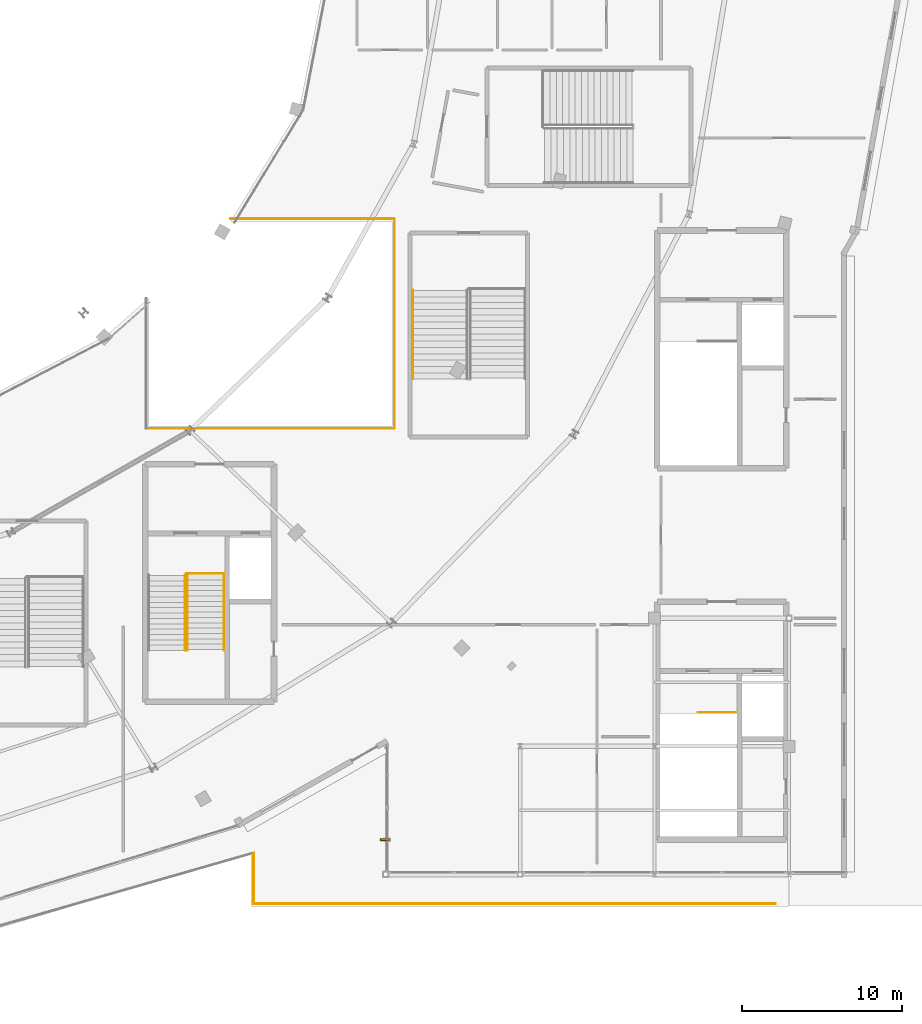
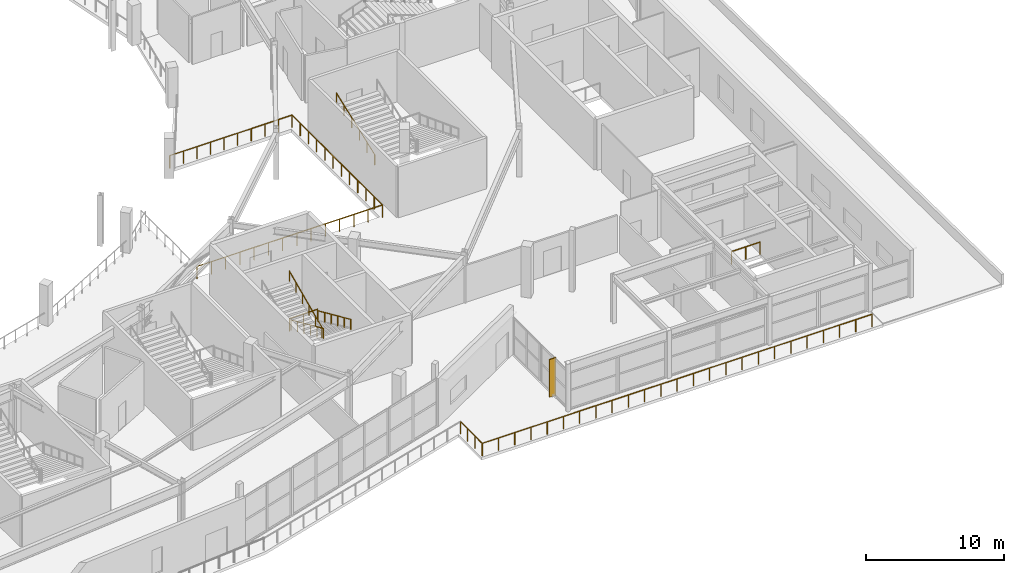
# One storey, part 119 of 123: 11 railings, 1 shading device.
"""IFC4 building model written with IfcOpenShell, lengths in metres."""

import ifcopenshell
import ifcopenshell.guid

model = None  # the IFC model being written
_history = None  # IfcOwnerHistory: only IFC2X3 demands one
_inside = {}  # id of a spatial element -> (the spatial element, [elements in it])
_under = {}  # id of a project, library or spatial element -> (it, [spatial elements below it])
_declared = {}  # id of a project -> (the project, [libraries it declares])
_typed = {}  # id of a type object -> (the type object, [elements of that type])
_made_of = {}  # id of a material, layer set ... -> (it, [elements and type objects made of it])


def new_model(schema):
    """Start an empty IFC model of exactly this schema.

    Asked for "IFC4X3", IfcOpenShell would pick the latest addendum, in which some entities
    have other attributes; the version numbers below select the first issue.
    IFC2X3 requires an IfcOwnerHistory on every rooted entity: one is made here for all.
    """
    global model, _history
    if schema == "IFC4X3":
        model = ifcopenshell.file(schema_version=(4, 3, 0, 0))
    else:
        model = ifcopenshell.file(schema=schema)
    _inside.clear()
    _under.clear()
    _declared.clear()
    _typed.clear()
    _made_of.clear()
    _history = None
    if model.schema == "IFC2X3":
        org = make("IfcOrganization", Name="unknown")
        user = make(
            "IfcPersonAndOrganization",
            ThePerson=make("IfcPerson", FamilyName="unknown"),
            TheOrganization=org,
        )
        app = make(
            "IfcApplication",
            ApplicationDeveloper=org,
            Version="unknown",
            ApplicationFullName="unknown",
            ApplicationIdentifier="unknown",
        )
        _history = make(
            "IfcOwnerHistory",
            OwningUser=user,
            OwningApplication=app,
            ChangeAction="ADDED",
            CreationDate=0,
        )
    return model


def make(cls, **values):
    """One entity of the class cls with the attributes given. An attribute that is None is left unset."""
    return model.create_entity(
        cls, **{name: value for name, value in values.items() if value is not None}
    )


def rooted(cls, **values):
    """An entity with a GlobalId (a new one), such as an element, a storey or a relation."""
    return make(cls, GlobalId=ifcopenshell.guid.new(), OwnerHistory=_history, **values)


def si_unit(unit_type, name, prefix=None):
    """IfcSIUnit, for example si_unit("LENGTHUNIT", "METRE", prefix="MILLI")."""
    return make("IfcSIUnit", UnitType=unit_type, Prefix=prefix, Name=name)


def assignment(units):
    """IfcUnitAssignment: the units of a project."""
    return None if units is None else make("IfcUnitAssignment", Units=units)


def point(xyz):
    """IfcCartesianPoint."""
    return None if xyz is None else make("IfcCartesianPoint", Coordinates=xyz)


def direction(xyz):
    """IfcDirection."""
    return None if xyz is None else make("IfcDirection", DirectionRatios=xyz)


def frame(location, z_axis=None, x_axis=None):
    """IfcAxis2Placement3D, a coordinate frame: its origin and axes. An axis left out is left unset."""
    return make(
        "IfcAxis2Placement3D",
        Location=point(location),
        Axis=direction(z_axis),
        RefDirection=direction(x_axis),
    )


def frame_2d(location, x_axis=None):
    """IfcAxis2Placement2D, a coordinate frame in the plane: its origin and x axis."""
    return make(
        "IfcAxis2Placement2D", Location=point(location), RefDirection=direction(x_axis)
    )


def origin():
    """The frame at (0, 0, 0) with its axes left unset."""
    return frame((0.0, 0.0, 0.0))


def origin_2d():
    """The frame at (0, 0) in the plane with its x axis left unset."""
    return frame_2d((0.0, 0.0))


def place(relative_to, where):
    """IfcLocalPlacement: puts the frame where relative to a parent placement (None: the world)."""
    return make(
        "IfcLocalPlacement", PlacementRelTo=relative_to, RelativePlacement=where
    )


def context(
    kind, dimensions, precision=None, world=None, true_north=None, identifier=None
):
    """IfcGeometricRepresentationContext, for example the 3D "Model" context."""
    return make(
        "IfcGeometricRepresentationContext",
        ContextIdentifier=identifier,
        ContextType=kind,
        CoordinateSpaceDimension=dimensions,
        Precision=precision,
        WorldCoordinateSystem=world,
        TrueNorth=true_north,
    )


def subcontext(parent, identifier, kind, view, scale=None):
    """IfcGeometricRepresentationSubContext, for example "Body" below "Model"."""
    return make(
        "IfcGeometricRepresentationSubContext",
        ContextIdentifier=identifier,
        ContextType=kind,
        ParentContext=parent,
        TargetScale=scale,
        TargetView=view,
    )


def project(units=None, contexts=None):
    """IfcProject with its units and contexts."""
    return rooted(
        "IfcProject",
        Name="project",
        RepresentationContexts=contexts,
        UnitsInContext=assignment(units),
    )


def spatial(cls, under=None, at=None, **own):
    """A site, building, storey or space (cls), placed at a placement, below another one or the project."""
    s = rooted(cls, ObjectPlacement=at, **own)
    if under is not None:
        _under.setdefault(under.id(), (under, []))[1].append(s)
    return s


def profile(cls, at=None, kind="AREA", **sizes):
    """A parametric profile (cls). Its sizes go by their IFC names, for example OverallWidth=200.0."""
    return make(cls, ProfileType=kind, Position=at, **sizes)


def rectangle(**sizes):
    """IfcRectangleProfileDef."""
    return profile("IfcRectangleProfileDef", **sizes)


def circle(**sizes):
    """IfcCircleProfileDef."""
    return profile("IfcCircleProfileDef", **sizes)


def extrude(swept, where, along, depth):
    """IfcExtrudedAreaSolid: the profile swept, set in the frame where, extruded along a direction by depth."""
    return make(
        "IfcExtrudedAreaSolid",
        SweptArea=swept,
        Position=where,
        ExtrudedDirection=direction(along),
        Depth=depth,
    )


def shape(context_of_items, identifier, shape_type, items):
    """IfcShapeRepresentation: the items that make up one representation, for example the "Body"."""
    return make(
        "IfcShapeRepresentation",
        ContextOfItems=context_of_items,
        RepresentationIdentifier=identifier,
        RepresentationType=shape_type,
        Items=items,
    )


def material(Name=None, Category=None):
    """IfcMaterial."""
    return make("IfcMaterial", Name=Name, Category=Category)


def layer(
    of_material, thickness, ventilated=None, Name=None, Category=None, Priority=None
):
    """IfcMaterialLayer: one layer of a wall or slab, of a material (None: an air gap)."""
    return make(
        "IfcMaterialLayer",
        Material=of_material,
        LayerThickness=thickness,
        IsVentilated=ventilated,
        Name=Name,
        Category=Category,
        Priority=Priority,
    )


def layer_set(layers, Name=None):
    """IfcMaterialLayerSet."""
    return make("IfcMaterialLayerSet", MaterialLayers=layers, LayerSetName=Name)


def made_of(thing, what):
    """Note that an element or type object is made of a material, layer set ...; save() writes the relation."""
    if what is not None:
        _made_of.setdefault(what.id(), (what, []))[1].append(thing)
    return thing


def type_object(cls, material=None, **own):
    """A type object (cls), such as IfcWallType, which elements share."""
    return made_of(rooted(cls, **own), material)


def element(
    cls,
    number,
    at=None,
    inside=None,
    cuts=None,
    type_object=None,
    material=None,
    context=None,
    identifier="Body",
    shape_type=None,
    held_by="IfcProductDefinitionShape",
    body=None,
    shapes=None,
    **own,
):
    """One element of the class cls, such as IfcWall. Its Tag is "e" and its number.

    at: its placement. inside: the storey or other place that contains it. cuts: it is an
    opening in that element (IfcRelVoidsElement). A single representation is given by context,
    identifier, shape_type and body (its items); several are given by shapes. held_by: the class
    of the entity that holds the representations. save() writes the other relations.
    """
    e = rooted(cls, Tag="e%d" % number, ObjectPlacement=at, **own)
    if body is not None:
        shapes = [shape(context, identifier, shape_type, body)]
    if shapes is not None:
        e.Representation = make(held_by, Representations=shapes)
    if inside is not None:
        _inside.setdefault(inside.id(), (inside, []))[1].append(e)
    if cuts is not None:
        rooted(
            "IfcRelVoidsElement", RelatingBuildingElement=cuts, RelatedOpeningElement=e
        )
    if type_object is not None:
        _typed.setdefault(type_object.id(), (type_object, []))[1].append(e)
    return made_of(e, material)


def aggregate(whole, parts):
    """IfcRelAggregates: a whole, such as a stair, and the parts it consists of."""
    return rooted("IfcRelAggregates", RelatingObject=whole, RelatedObjects=parts)


def save(model, path):
    """Write the relations noted so far, then the file.

    IfcRelAggregates (storeys below a building ...), IfcRelContainedInSpatialStructure (elements
    in a storey), IfcRelDefinesByType, IfcRelAssociatesMaterial and IfcRelDeclares: one each for
    every whole, place, type object, material and project.
    """
    for whole, parts in _under.values():
        aggregate(whole, parts)
    for where, things in _inside.values():
        rooted(
            "IfcRelContainedInSpatialStructure",
            RelatedElements=things,
            RelatingStructure=where,
        )
    for kind, things in _typed.values():
        rooted("IfcRelDefinesByType", RelatedObjects=things, RelatingType=kind)
    for what, things in _made_of.values():
        rooted("IfcRelAssociatesMaterial", RelatedObjects=things, RelatingMaterial=what)
    for by, libraries in _declared.values():
        rooted("IfcRelDeclares", RelatingContext=by, RelatedDefinitions=libraries)
    model.write(path)


model = new_model("IFC4")

# Units and contexts
model_context = context("Model", 3, precision=1e-05, world=origin(), true_north=direction((0.0, 1.0)))
body_context = subcontext(model_context, "Body", "Model", "MODEL_VIEW")
ifc_project = project(units=[si_unit("LENGTHUNIT", "METRE"), si_unit("AREAUNIT", "SQUARE_METRE"), si_unit("VOLUMEUNIT", "CUBIC_METRE"), si_unit("PLANEANGLEUNIT", "RADIAN"), si_unit("MASSUNIT", "GRAM", prefix="KILO")], contexts=[model_context])

# Site, building, storey
site_placement = place(None, origin())
site = spatial("IfcSite", under=ifc_project, at=site_placement, CompositionType="ELEMENT")
building_placement = place(site_placement, origin())
building = spatial("IfcBuilding", under=site, at=building_placement, Name="Kalgoora Escarpment Arena", CompositionType="ELEMENT")
storey_placement = place(building_placement, frame((0.0, 0.0, 9.89990234375)))
storey = spatial("IfcBuildingStorey", under=building, at=storey_placement, Name="L02", CompositionType="ELEMENT", Elevation=9.89990234375)

# Railings
ifc_material_1 = material(Name="Galvanised & powdercoated tubular steel", Category="steel")
railing_type_1 = type_object("IfcRailingType", Name="RAL-GUARD-1120", PredefinedType="GUARDRAIL", material=ifc_material_1)
railing_1_placement = place(storey_placement, frame((132.68994140625, 26.7900390625, 0.0)))
element("IfcRailing", 1, at=railing_1_placement, inside=storey, type_object=railing_type_1, Name="ST06 L02 floor landing well guard", PredefinedType="GUARDRAIL", context=body_context, shape_type="SweptSolid", body=[
    extrude(circle(Radius=0.02392578125, at=origin_2d()), frame((0.0, 0.0, 1.09619140625), z_axis=(-1.0, 0.0, 0.0), x_axis=(0.0, -1.0, 0.0)), (0.0, 0.0, 1.0), 2.33984375),
    extrude(circle(Radius=0.02099609375, at=origin_2d()), origin(), (0.0, 0.0, 1.0), 1.072021484375),
    extrude(circle(Radius=0.02099609375, at=origin_2d()), frame((-1.169921875, 0.0, 0.0)), (0.0, 0.0, 1.0), 1.072021484375),
    extrude(circle(Radius=0.02099609375, at=origin_2d()), frame((-2.33984375, 0.0, 0.0)), (0.0, 0.0, 1.0), 1.072021484375),
])
railing_2_placement = place(storey_placement, frame((164.68994140625, 18.110107421875, 0.0)))
element("IfcRailing", 2, at=railing_2_placement, inside=storey, type_object=railing_type_1, Name="ST08 top landing well guardrail", PredefinedType="GUARDRAIL", context=body_context, shape_type="SweptSolid", body=[
    extrude(circle(Radius=0.02392578125, at=origin_2d()), frame((0.0, 0.0, 1.09619140625), z_axis=(-1.0, 0.0, 0.0), x_axis=(0.0, -1.0, 0.0)), (0.0, 0.0, 1.0), 2.3798828125),
    extrude(circle(Radius=0.02099609375, at=origin_2d()), origin(), (0.0, 0.0, 1.0), 1.072021484375),
    extrude(circle(Radius=0.02099609375, at=origin_2d()), frame((-1.18994140625, 0.0, 0.0)), (0.0, 0.0, 1.0), 1.072021484375),
    extrude(circle(Radius=0.02099609375, at=origin_2d()), frame((-2.3798828125, 0.0, 0.0)), (0.0, 0.0, 1.0), 1.072021484375),
])
railing_3_placement = place(storey_placement, frame((127.85009765625, 35.85009765625, 0.0)))
element("IfcRailing", 3, at=railing_3_placement, inside=storey, type_object=railing_type_1, Name="L02 practice court void balustrade S", PredefinedType="GUARDRAIL", context=body_context, shape_type="SweptSolid", body=[
    extrude(circle(Radius=0.02392578125, at=origin_2d()), frame((0.0, 0.0, 1.09619140625), z_axis=(1.0, 0.0, 0.0), x_axis=(0.0, 1.0, 0.0)), (0.0, 0.0, 1.0), 15.5),
    extrude(circle(Radius=0.02099609375, at=origin_2d()), origin(), (0.0, 0.0, 1.0), 1.072021484375),
    extrude(circle(Radius=0.02099609375, at=origin_2d()), frame((1.1923828125, 0.0, 0.0)), (0.0, 0.0, 1.0), 1.072021484375),
    extrude(circle(Radius=0.02099609375, at=origin_2d()), frame((2.384521484375, 0.0, 0.0)), (0.0, 0.0, 1.0), 1.072021484375),
    extrude(circle(Radius=0.02099609375, at=origin_2d()), frame((3.576904296875, 0.0, 0.0)), (0.0, 0.0, 1.0), 1.072021484375),
    extrude(circle(Radius=0.02099609375, at=origin_2d()), frame((4.769287109375, 0.0, 0.0)), (0.0, 0.0, 1.0), 1.072021484375),
    extrude(circle(Radius=0.02099609375, at=origin_2d()), frame((5.96142578125, 0.0, 0.0)), (0.0, 0.0, 1.0), 1.072021484375),
    extrude(circle(Radius=0.02099609375, at=origin_2d()), frame((7.15380859375, 0.0, 0.0)), (0.0, 0.0, 1.0), 1.072021484375),
    extrude(circle(Radius=0.02099609375, at=origin_2d()), frame((8.34619140625, 0.0, 0.0)), (0.0, 0.0, 1.0), 1.072021484375),
    extrude(circle(Radius=0.02099609375, at=origin_2d()), frame((9.53857421875, 0.0, 0.0)), (0.0, 0.0, 1.0), 1.072021484375),
    extrude(circle(Radius=0.02099609375, at=origin_2d()), frame((10.730712890625, 0.0, 0.0)), (0.0, 0.0, 1.0), 1.072021484375),
    extrude(circle(Radius=0.02099609375, at=origin_2d()), frame((11.923095703125, 0.0, 0.0)), (0.0, 0.0, 1.0), 1.072021484375),
    extrude(circle(Radius=0.02099609375, at=origin_2d()), frame((13.115478515625, 0.0, 0.0)), (0.0, 0.0, 1.0), 1.072021484375),
    extrude(circle(Radius=0.02099609375, at=origin_2d()), frame((14.3076171875, 0.0, 0.0)), (0.0, 0.0, 1.0), 1.072021484375),
    extrude(circle(Radius=0.02099609375, at=origin_2d()), frame((15.5, 0.0, 0.0)), (0.0, 0.0, 1.0), 1.072021484375),
])
railing_4_placement = place(storey_placement, frame((143.35009765625, 35.85009765625, 0.0)))
element("IfcRailing", 4, at=railing_4_placement, inside=storey, type_object=railing_type_1, Name="L02 practice court void balustrade E", PredefinedType="GUARDRAIL", context=body_context, shape_type="SweptSolid", body=[
    extrude(circle(Radius=0.02392578125, at=origin_2d()), frame((0.0, 0.0, 1.09619140625), z_axis=(0.0, 1.0, 0.0), x_axis=(-1.0, 0.0, 0.0)), (0.0, 0.0, 1.0), 13.099853515625),
    extrude(circle(Radius=0.02099609375, at=origin_2d()), origin(), (0.0, 0.0, 1.0), 1.072021484375),
    extrude(circle(Radius=0.02099609375, at=origin_2d()), frame((0.0, 1.19091796875, 0.0)), (0.0, 0.0, 1.0), 1.072021484375),
    extrude(circle(Radius=0.02099609375, at=origin_2d()), frame((0.0, 2.3818359375, 0.0)), (0.0, 0.0, 1.0), 1.072021484375),
    extrude(circle(Radius=0.02099609375, at=origin_2d()), frame((0.0, 3.57275390625, 0.0)), (0.0, 0.0, 1.0), 1.072021484375),
    extrude(circle(Radius=0.02099609375, at=origin_2d()), frame((0.0, 4.763671875, 0.0)), (0.0, 0.0, 1.0), 1.072021484375),
    extrude(circle(Radius=0.02099609375, at=origin_2d()), frame((0.0, 5.95458984375, 0.0)), (0.0, 0.0, 1.0), 1.072021484375),
    extrude(circle(Radius=0.02099609375, at=origin_2d()), frame((0.0, 7.145263671875, 0.0)), (0.0, 0.0, 1.0), 1.072021484375),
    extrude(circle(Radius=0.02099609375, at=origin_2d()), frame((0.0, 8.336181640625, 0.0)), (0.0, 0.0, 1.0), 1.072021484375),
    extrude(circle(Radius=0.02099609375, at=origin_2d()), frame((0.0, 9.527099609375, 0.0)), (0.0, 0.0, 1.0), 1.072021484375),
    extrude(circle(Radius=0.02099609375, at=origin_2d()), frame((0.0, 10.718017578125, 0.0)), (0.0, 0.0, 1.0), 1.072021484375),
    extrude(circle(Radius=0.02099609375, at=origin_2d()), frame((0.0, 11.908935546875, 0.0)), (0.0, 0.0, 1.0), 1.072021484375),
    extrude(circle(Radius=0.02099609375, at=origin_2d()), frame((0.0, 13.099853515625, 0.0)), (0.0, 0.0, 1.0), 1.072021484375),
])
railing_5_placement = place(storey_placement, frame((143.35009765625, 48.949951171875, 0.0)))
element("IfcRailing", 5, at=railing_5_placement, inside=storey, type_object=railing_type_1, Name="L02 practice court void balustrade N", PredefinedType="GUARDRAIL", context=body_context, shape_type="SweptSolid", body=[
    extrude(circle(Radius=0.02392578125, at=origin_2d()), frame((0.0, 0.0, 1.09619140625), z_axis=(-1.0, 0.0, 0.0), x_axis=(0.0, -1.0, 0.0)), (0.0, 0.0, 1.0), 10.22900390625),
    extrude(circle(Radius=0.02099609375, at=origin_2d()), origin(), (0.0, 0.0, 1.0), 1.072021484375),
    extrude(circle(Radius=0.02099609375, at=origin_2d()), frame((-1.136474609375, 0.0, 0.0)), (0.0, 0.0, 1.0), 1.072021484375),
    extrude(circle(Radius=0.02099609375, at=origin_2d()), frame((-2.273193359375, 0.0, 0.0)), (0.0, 0.0, 1.0), 1.072021484375),
    extrude(circle(Radius=0.02099609375, at=origin_2d()), frame((-3.40966796875, 0.0, 0.0)), (0.0, 0.0, 1.0), 1.072021484375),
    extrude(circle(Radius=0.02099609375, at=origin_2d()), frame((-4.546142578125, 0.0, 0.0)), (0.0, 0.0, 1.0), 1.072021484375),
    extrude(circle(Radius=0.02099609375, at=origin_2d()), frame((-5.682861328125, 0.0, 0.0)), (0.0, 0.0, 1.0), 1.072021484375),
    extrude(circle(Radius=0.02099609375, at=origin_2d()), frame((-6.8193359375, 0.0, 0.0)), (0.0, 0.0, 1.0), 1.072021484375),
    extrude(circle(Radius=0.02099609375, at=origin_2d()), frame((-7.955810546875, 0.0, 0.0)), (0.0, 0.0, 1.0), 1.072021484375),
    extrude(circle(Radius=0.02099609375, at=origin_2d()), frame((-9.092529296875, 0.0, 0.0)), (0.0, 0.0, 1.0), 1.072021484375),
    extrude(circle(Radius=0.02099609375, at=origin_2d()), frame((-10.22900390625, 0.0, 0.0)), (0.0, 0.0, 1.0), 1.072021484375),
])
ifc_material_2 = material(Name="Brushed stainless steel 316 handrail", Category="steel")
railing_type_2 = type_object("IfcRailingType", Name="RAL-HAND-920", PredefinedType="HANDRAIL", material=ifc_material_2)
for number, where, name in (
    (6, (132.699951171875, 26.7099609375, 0.110107421875), "ST06 L02 pitched stair handrail F1L"),
    (7, (130.4150390625, 26.7099609375, 0.110107421875), "ST06 L02 pitched stair handrail F1R"),
):
    element("IfcRailing", number, at=place(storey_placement, frame(where)), inside=storey, type_object=railing_type_2, Name=name, PredefinedType="HANDRAIL", context=body_context, shape_type="SweptSolid", body=[
        extrude(circle(Radius=0.02392578125, at=origin_2d()), frame((0.0, 0.0, 0.89599609375), z_axis=(0.0, -0.913643874524, 0.406515523129), x_axis=(1.0, 0.0, 0.0)), (0.0, 0.0, 1.0), 5.166015625),
        extrude(circle(Radius=0.02099609375, at=origin_2d()), origin(), (0.0, 0.0, 1.0), 0.871826171875),
        extrude(circle(Radius=0.02099609375, at=origin_2d()), frame((0.0, -0.944091796875, 0.419921875)), (0.0, 0.0, 1.0), 0.871826171875),
        extrude(circle(Radius=0.02099609375, at=origin_2d()), frame((0.0, -1.887939453125, 0.840087890625)), (0.0, 0.0, 1.0), 0.871826171875),
        extrude(circle(Radius=0.02099609375, at=origin_2d()), frame((0.0, -2.83203125, 1.260009765625)), (0.0, 0.0, 1.0), 0.871826171875),
        extrude(circle(Radius=0.02099609375, at=origin_2d()), frame((0.0, -3.77587890625, 1.68017578125)), (0.0, 0.0, 1.0), 0.871826171875),
        extrude(circle(Radius=0.02099609375, at=origin_2d()), frame((0.0, -4.719970703125, 2.10009765625)), (0.0, 0.0, 1.0), 0.871826171875),
    ])
railing_6_placement = place(storey_placement, frame((130.284912109375, 21.989990234375, 2.360107421875)))
element("IfcRailing", 8, at=railing_6_placement, inside=storey, type_object=railing_type_2, Name="ST06 L02 pitched stair handrail F2L", PredefinedType="HANDRAIL", context=body_context, shape_type="SweptSolid", body=[
    extrude(circle(Radius=0.02392578125, at=origin_2d()), frame((0.0, 0.0, 0.89599609375), z_axis=(0.0, 0.913643874524, 0.406515523129), x_axis=(-1.0, 0.0, 0.0)), (0.0, 0.0, 1.0), 5.166015625),
    extrude(circle(Radius=0.02099609375, at=origin_2d()), origin(), (0.0, 0.0, 1.0), 0.871826171875),
    extrude(circle(Radius=0.02099609375, at=origin_2d()), frame((0.0, 0.944091796875, 0.419921875)), (0.0, 0.0, 1.0), 0.871826171875),
    extrude(circle(Radius=0.02099609375, at=origin_2d()), frame((0.0, 1.887939453125, 0.840087890625)), (0.0, 0.0, 1.0), 0.871826171875),
    extrude(circle(Radius=0.02099609375, at=origin_2d()), frame((0.0, 2.83203125, 1.260009765625)), (0.0, 0.0, 1.0), 0.871826171875),
    extrude(circle(Radius=0.02099609375, at=origin_2d()), frame((0.0, 3.77587890625, 1.68017578125)), (0.0, 0.0, 1.0), 0.871826171875),
    extrude(circle(Radius=0.02099609375, at=origin_2d()), frame((0.0, 4.719970703125, 2.10009765625)), (0.0, 0.0, 1.0), 0.871826171875),
])
railing_7_placement = place(storey_placement, frame((144.5, 38.949951171875, 2.360107421875)))
element("IfcRailing", 9, at=railing_7_placement, inside=storey, type_object=railing_type_2, Name="ST24 L02 pitched stair handrail F2R", PredefinedType="HANDRAIL", context=body_context, shape_type="SweptSolid", body=[
    extrude(circle(Radius=0.02392578125, at=origin_2d()), frame((0.0, 0.0, 0.89599609375), z_axis=(0.0, 0.935492612948, 0.353346248203), x_axis=(-1.0, 0.0, 0.0)), (0.0, 0.0, 1.0), 5.943359375),
    extrude(circle(Radius=0.02099609375, at=origin_2d()), origin(), (0.0, 0.0, 1.0), 0.871826171875),
    extrude(circle(Radius=0.02099609375, at=origin_2d()), frame((0.0, 1.112060546875, 0.419921875)), (0.0, 0.0, 1.0), 0.871826171875),
    extrude(circle(Radius=0.02099609375, at=origin_2d()), frame((0.0, 2.22412109375, 0.840087890625)), (0.0, 0.0, 1.0), 0.871826171875),
    extrude(circle(Radius=0.02099609375, at=origin_2d()), frame((0.0, 3.3359375, 1.260009765625)), (0.0, 0.0, 1.0), 0.871826171875),
    extrude(circle(Radius=0.02099609375, at=origin_2d()), frame((0.0, 4.447998046875, 1.68017578125)), (0.0, 0.0, 1.0), 0.871826171875),
    extrude(circle(Radius=0.02099609375, at=origin_2d()), frame((0.0, 5.56005859375, 2.10009765625)), (0.0, 0.0, 1.0), 0.871826171875),
])
ifc_material_3 = material(Name="Champagne anodised aluminium & laminated glass", Category="aluminium")
railing_type_3 = type_object("IfcRailingType", Name="RAL-TERR-1100", PredefinedType="GUARDRAIL", material=ifc_material_3)
railing_8_placement = place(storey_placement, frame((167.163818359375, 6.159912109375, 0.0)))
element("IfcRailing", 10, at=railing_8_placement, inside=storey, type_object=railing_type_3, Name="Middle Planted Elliptical Garden Promenade perimeter guardrail 020", PredefinedType="GUARDRAIL", context=body_context, shape_type="SweptSolid", body=[
    extrude(circle(Radius=0.02392578125, at=origin_2d()), frame((0.0, 0.0, 1.09619140625), z_axis=(-1.0, 0.0, 0.0), x_axis=(0.0, -1.0, 0.0)), (0.0, 0.0, 1.0), 32.603759765625),
    extrude(circle(Radius=0.02099609375, at=origin_2d()), origin(), (0.0, 0.0, 1.0), 1.072021484375),
    extrude(circle(Radius=0.02099609375, at=origin_2d()), frame((-1.3583984375, 0.0, 0.0)), (0.0, 0.0, 1.0), 1.072021484375),
    extrude(circle(Radius=0.02099609375, at=origin_2d()), frame((-2.717041015625, 0.0, 0.0)), (0.0, 0.0, 1.0), 1.072021484375),
    extrude(circle(Radius=0.02099609375, at=origin_2d()), frame((-4.075439453125, 0.0, 0.0)), (0.0, 0.0, 1.0), 1.072021484375),
    extrude(circle(Radius=0.02099609375, at=origin_2d()), frame((-5.43408203125, 0.0, 0.0)), (0.0, 0.0, 1.0), 1.072021484375),
    extrude(circle(Radius=0.02099609375, at=origin_2d()), frame((-6.79248046875, 0.0, 0.0)), (0.0, 0.0, 1.0), 1.072021484375),
    extrude(circle(Radius=0.02099609375, at=origin_2d()), frame((-8.15087890625, 0.0, 0.0)), (0.0, 0.0, 1.0), 1.072021484375),
    extrude(circle(Radius=0.02099609375, at=origin_2d()), frame((-9.509521484375, 0.0, 0.0)), (0.0, 0.0, 1.0), 1.072021484375),
    extrude(circle(Radius=0.02099609375, at=origin_2d()), frame((-10.867919921875, 0.0, 0.0)), (0.0, 0.0, 1.0), 1.072021484375),
    extrude(circle(Radius=0.02099609375, at=origin_2d()), frame((-12.226318359375, 0.0, 0.0)), (0.0, 0.0, 1.0), 1.072021484375),
    extrude(circle(Radius=0.02099609375, at=origin_2d()), frame((-13.5849609375, 0.0, 0.0)), (0.0, 0.0, 1.0), 1.072021484375),
    extrude(circle(Radius=0.02099609375, at=origin_2d()), frame((-14.943359375, 0.0, 0.0)), (0.0, 0.0, 1.0), 1.072021484375),
    extrude(circle(Radius=0.02099609375, at=origin_2d()), frame((-16.3017578125, 0.0, 0.0)), (0.0, 0.0, 1.0), 1.072021484375),
    extrude(circle(Radius=0.02099609375, at=origin_2d()), frame((-17.660400390625, 0.0, 0.0)), (0.0, 0.0, 1.0), 1.072021484375),
    extrude(circle(Radius=0.02099609375, at=origin_2d()), frame((-19.018798828125, 0.0, 0.0)), (0.0, 0.0, 1.0), 1.072021484375),
    extrude(circle(Radius=0.02099609375, at=origin_2d()), frame((-20.37744140625, 0.0, 0.0)), (0.0, 0.0, 1.0), 1.072021484375),
    extrude(circle(Radius=0.02099609375, at=origin_2d()), frame((-21.73583984375, 0.0, 0.0)), (0.0, 0.0, 1.0), 1.072021484375),
    extrude(circle(Radius=0.02099609375, at=origin_2d()), frame((-23.09423828125, 0.0, 0.0)), (0.0, 0.0, 1.0), 1.072021484375),
    extrude(circle(Radius=0.02099609375, at=origin_2d()), frame((-24.452880859375, 0.0, 0.0)), (0.0, 0.0, 1.0), 1.072021484375),
    extrude(circle(Radius=0.02099609375, at=origin_2d()), frame((-25.811279296875, 0.0, 0.0)), (0.0, 0.0, 1.0), 1.072021484375),
    extrude(circle(Radius=0.02099609375, at=origin_2d()), frame((-27.169921875, 0.0, 0.0)), (0.0, 0.0, 1.0), 1.072021484375),
    extrude(circle(Radius=0.02099609375, at=origin_2d()), frame((-28.5283203125, 0.0, 0.0)), (0.0, 0.0, 1.0), 1.072021484375),
    extrude(circle(Radius=0.02099609375, at=origin_2d()), frame((-29.88671875, 0.0, 0.0)), (0.0, 0.0, 1.0), 1.072021484375),
    extrude(circle(Radius=0.02099609375, at=origin_2d()), frame((-31.245361328125, 0.0, 0.0)), (0.0, 0.0, 1.0), 1.072021484375),
    extrude(circle(Radius=0.02099609375, at=origin_2d()), frame((-32.603759765625, 0.0, 0.0)), (0.0, 0.0, 1.0), 1.072021484375),
])
railing_9_placement = place(storey_placement, frame((134.56005859375, 6.159912109375, 0.0)))
element("IfcRailing", 11, at=railing_9_placement, inside=storey, type_object=railing_type_3, Name="Middle Planted Elliptical Garden Promenade perimeter guardrail 021", PredefinedType="GUARDRAIL", context=body_context, shape_type="SweptSolid", body=[
    extrude(circle(Radius=0.02392578125, at=origin_2d()), frame((0.0, 0.0, 1.09619140625), z_axis=(0.0, 1.0, 0.0), x_axis=(-1.0, 0.0, 0.0)), (0.0, 0.0, 1.0), 3.1796875),
    extrude(circle(Radius=0.02099609375, at=origin_2d()), origin(), (0.0, 0.0, 1.0), 1.072021484375),
    extrude(circle(Radius=0.02099609375, at=origin_2d()), frame((0.0, 1.059814453125, 0.0)), (0.0, 0.0, 1.0), 1.072021484375),
    extrude(circle(Radius=0.02099609375, at=origin_2d()), frame((0.0, 2.119873046875, 0.0)), (0.0, 0.0, 1.0), 1.072021484375),
    extrude(circle(Radius=0.02099609375, at=origin_2d()), frame((0.0, 3.1796875, 0.0)), (0.0, 0.0, 1.0), 1.072021484375),
])

# Shading device
ifc_material_4 = material(Name="Champagne anodised extruded aluminium", Category="aluminium")
ifc_layer = layer(ifc_material_4, 0.080078125)
ifc_layer_set = layer_set([ifc_layer], Name="SHD-FIN-CHAMP")
shading_device_type = type_object("IfcShadingDeviceType", Name="SHD-FIN-CHAMP", PredefinedType="USERDEFINED", material=ifc_layer_set)
shading_device_placement = place(storey_placement, frame((142.739990234375, 10.158935546875, 0.0), z_axis=(0.0, 0.0, 1.0), x_axis=(-1.0, 0.0, 0.0)))
element("IfcShadingDevice", 12, at=shading_device_placement, inside=storey, type_object=shading_device_type, Name="L02 champagne anodised solar fin 06", ObjectType="FIN", PredefinedType="USERDEFINED", context=body_context, shape_type="SweptSolid", body=[
    extrude(rectangle(XDim=0.56005859375, YDim=0.10009765625, at=origin_2d()), origin(), (0.0, 0.0, 1.0), 3.324951171875),
])

save(model, "model.ifc")
